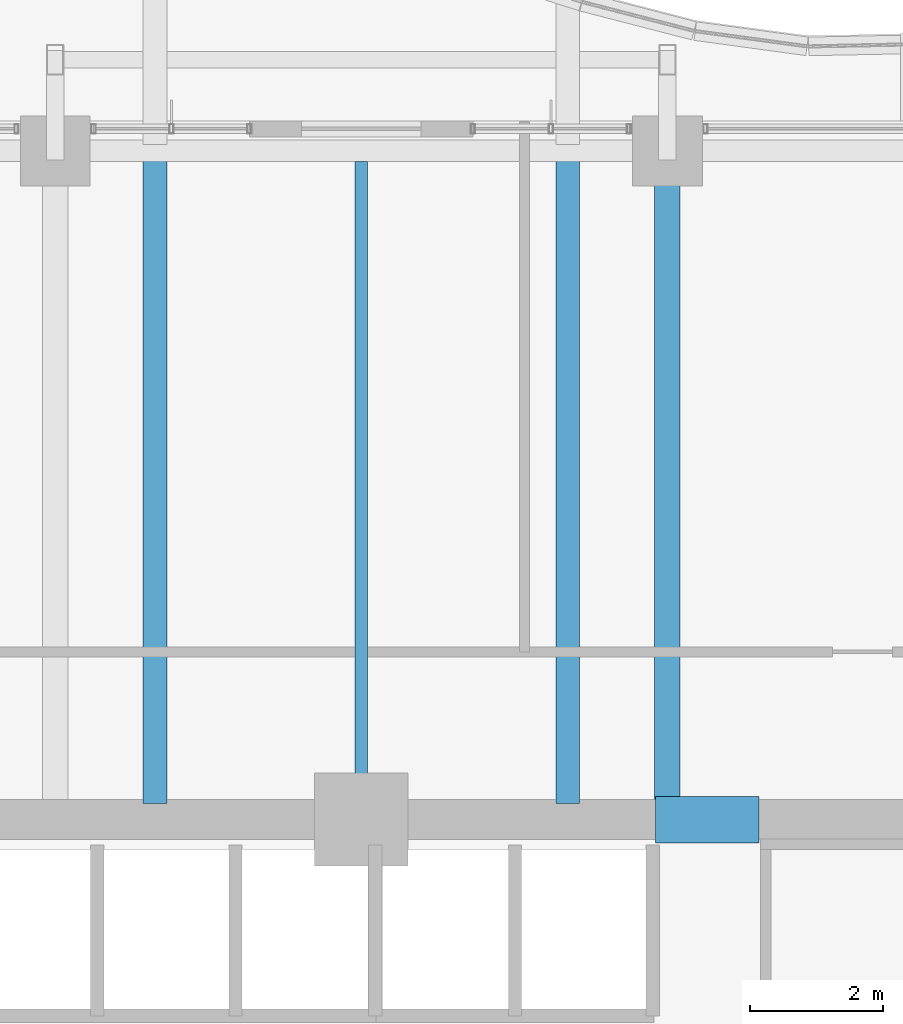
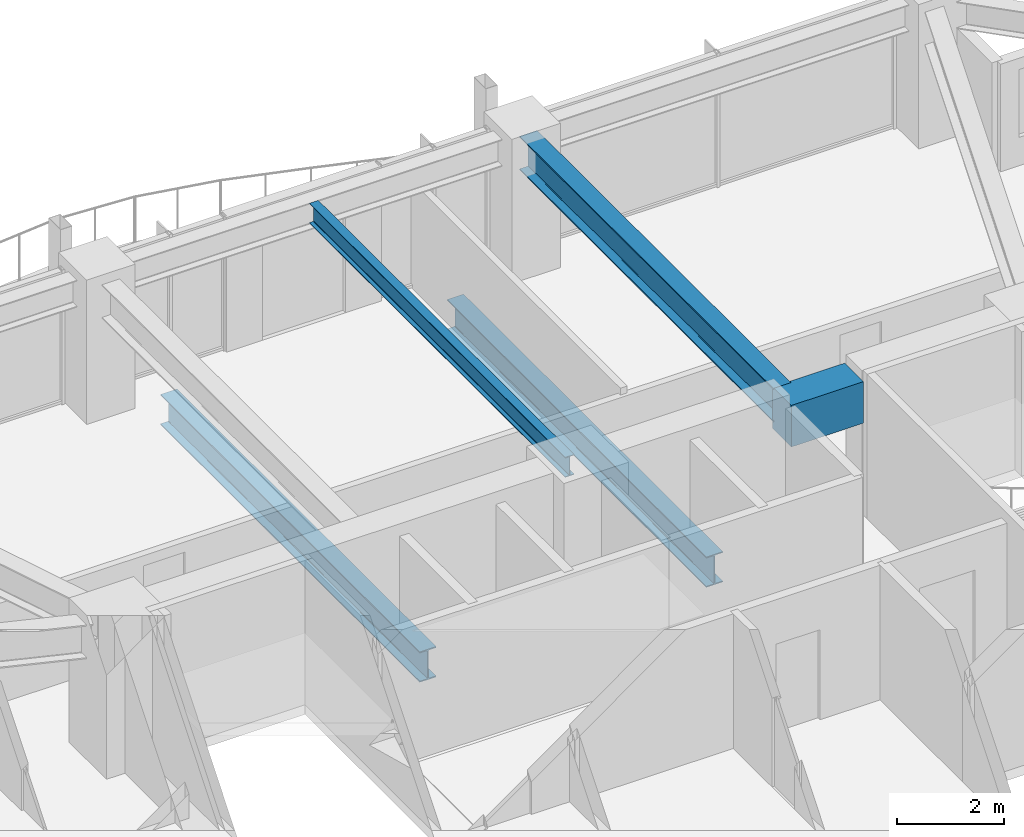
# One storey, part 21 of 38: 5 beams.
"""IFC4 building model written with IfcOpenShell, lengths in metres."""

from ifc_helpers import new_model, si_unit, direction, frame, origin, origin_2d, place, context, subcontext, project, spatial, rectangle, i_section, extrude, material, material_profile, profile_set, type_object, element, save


model = new_model("IFC4")

# Units and contexts
model_context = context("Model", 3, precision=1e-05, world=origin(), true_north=direction((0.0, 1.0)))
body_context = subcontext(model_context, "Body", "Model", "MODEL_VIEW")
ifc_project = project(units=[si_unit("LENGTHUNIT", "METRE"), si_unit("AREAUNIT", "SQUARE_METRE"), si_unit("VOLUMEUNIT", "CUBIC_METRE"), si_unit("PLANEANGLEUNIT", "RADIAN"), si_unit("MASSUNIT", "GRAM", prefix="KILO")], contexts=[model_context])

# Site, building, storey
site_placement = place(None, origin())
site = spatial("IfcSite", under=ifc_project, at=site_placement, CompositionType="ELEMENT")
building_placement = place(site_placement, origin())
building = spatial("IfcBuilding", under=site, at=building_placement, Name="Kolvaren Belvedere", CompositionType="ELEMENT")
storey_placement = place(building_placement, frame((0.0, 0.0, 72.199951171875)))
storey = spatial("IfcBuildingStorey", under=building, at=storey_placement, Name="L20", CompositionType="ELEMENT", Elevation=72.199951171875)

# Beams
ifc_material_1 = material(Name="Structural steel ASTM A992 Grade 50", Category="steel")
ifc_material_profile_1 = material_profile(ifc_material_1, i_section(OverallWidth=0.35498046875, OverallDepth=0.696044921875, WebThickness=0.015380859375, FlangeThickness=0.02490234375, FilletRadius=0.02197265625, at=origin_2d()), Name="W27X146")
ifc_profile_set_1 = profile_set([ifc_material_profile_1], Name="Structural steel ASTM A992 Grade 50")
beam_type_1 = type_object("IfcBeamType", Name="BM-GIRD-W27X146", PredefinedType="BEAM", material=ifc_profile_set_1)
for number, where, z_axis, x_axis, name in (
    (1, (-3.10009765625, 10.139892578125, -0.56787109375), (0.0, 1.0, 0.0), (-1.0, 0.0, 0.0), "L20 Balcony Interior Back-Span Girder BAL-N-1"),
    (2, (3.10009765625, 10.139892578125, -0.56787109375), (0.0, 1.0, 0.0), (-1.0, 0.0, 0.0), "L20 Balcony Interior Back-Span Girder BAL-N-2"),
):
    element("IfcBeam", number, at=place(storey_placement, frame(where, z_axis=z_axis, x_axis=x_axis)), inside=storey, type_object=beam_type_1, Name=name, PredefinedType="BEAM", context=body_context, shape_type="SweptSolid", body=[
        extrude(i_section(OverallWidth=0.35498046875, OverallDepth=0.696044921875, WebThickness=0.015380859375, FlangeThickness=0.02490234375, FilletRadius=0.02197265625, at=origin_2d()), origin(), (0.0, 0.0, 1.0), 9.715087890625),
    ])
ifc_material_2 = material(Name="Structural steel ASTM A992 Grade 50", Category="steel")
ifc_material_profile_2 = material_profile(ifc_material_2, i_section(OverallWidth=0.381103515625, OverallDepth=0.77294921875, WebThickness=0.0166015625, FlangeThickness=0.027099609375, FilletRadius=0.02392578125, at=origin_2d()), Name="W30X173")
ifc_profile_set_2 = profile_set([ifc_material_profile_2], Name="Structural steel ASTM A992 Grade 50")
beam_type_2 = type_object("IfcBeamType", Name="BM-GIRD-W30X173", PredefinedType="BEAM", material=ifc_profile_set_2)
beam_1_placement = place(storey_placement, frame((4.60009765625, 10.199951171875, 2.693603515625), z_axis=(0.0, 1.0, 0.0), x_axis=(-1.0, 0.0, 0.0)))
element("IfcBeam", 3, at=beam_1_placement, inside=storey, type_object=beam_type_2, Name="L20 North Radial Girder P", PredefinedType="BEAM", context=body_context, shape_type="SweptSolid", body=[
    extrude(i_section(OverallWidth=0.381103515625, OverallDepth=0.77294921875, WebThickness=0.0166015625, FlangeThickness=0.027099609375, FilletRadius=0.02392578125, at=origin_2d()), origin(), (0.0, 0.0, 1.0), 9.513916015625),
])
ifc_material_3 = material(Name="Structural steel ASTM A992 Grade 50", Category="steel")
ifc_material_profile_3 = material_profile(ifc_material_3, i_section(OverallWidth=0.19091796875, OverallDepth=0.4599609375, WebThickness=0.010009765625, FlangeThickness=0.01611328125, FilletRadius=0.014892578125, at=origin_2d()), Name="W18X55")
ifc_profile_set_3 = profile_set([ifc_material_profile_3], Name="Structural steel ASTM A992 Grade 50")
beam_type_3 = type_object("IfcBeamType", Name="BM-JOIST-W18X55", PredefinedType="BEAM", material=ifc_profile_set_3)
beam_2_placement = place(storey_placement, frame((0.0, 10.199951171875, 2.85009765625), z_axis=(0.0, 1.0, 0.0), x_axis=(-1.0, 0.0, 0.0)))
element("IfcBeam", 4, at=beam_2_placement, inside=storey, type_object=beam_type_3, Name="L20 North Centre Floor Beam", PredefinedType="BEAM", context=body_context, shape_type="SweptSolid", body=[
    extrude(i_section(OverallWidth=0.19091796875, OverallDepth=0.4599609375, WebThickness=0.010009765625, FlangeThickness=0.01611328125, FilletRadius=0.014892578125, at=origin_2d()), origin(), (0.0, 0.0, 1.0), 9.587646484375),
])
ifc_material_4 = material(Name="Concrete C60/75", Category="concrete")
ifc_material_profile_4 = material_profile(ifc_material_4, rectangle(XDim=0.699951171875, YDim=0.949951171875, at=origin_2d()), Name="RC 700X950")
ifc_profile_set_4 = profile_set([ifc_material_profile_4], Name="Concrete C60/75")
beam_type_4 = type_object("IfcBeamType", Name="BM-LINT-950", PredefinedType="LINTEL", material=ifc_profile_set_4)
beam_3_placement = place(storey_placement, frame((4.419921875, 9.89990234375, 2.60498046875), z_axis=(1.0, 0.0, 0.0), x_axis=(0.0, 1.0, 0.0)))
element("IfcBeam", 5, at=beam_3_placement, inside=storey, type_object=beam_type_4, Name="L20 North Core Coupling Lintel", PredefinedType="LINTEL", context=body_context, shape_type="SweptSolid", body=[
    extrude(rectangle(XDim=0.699951171875, YDim=0.949951171875, at=origin_2d()), origin(), (0.0, 0.0, 1.0), 1.56005859375),
])

save(model, "model.ifc")
